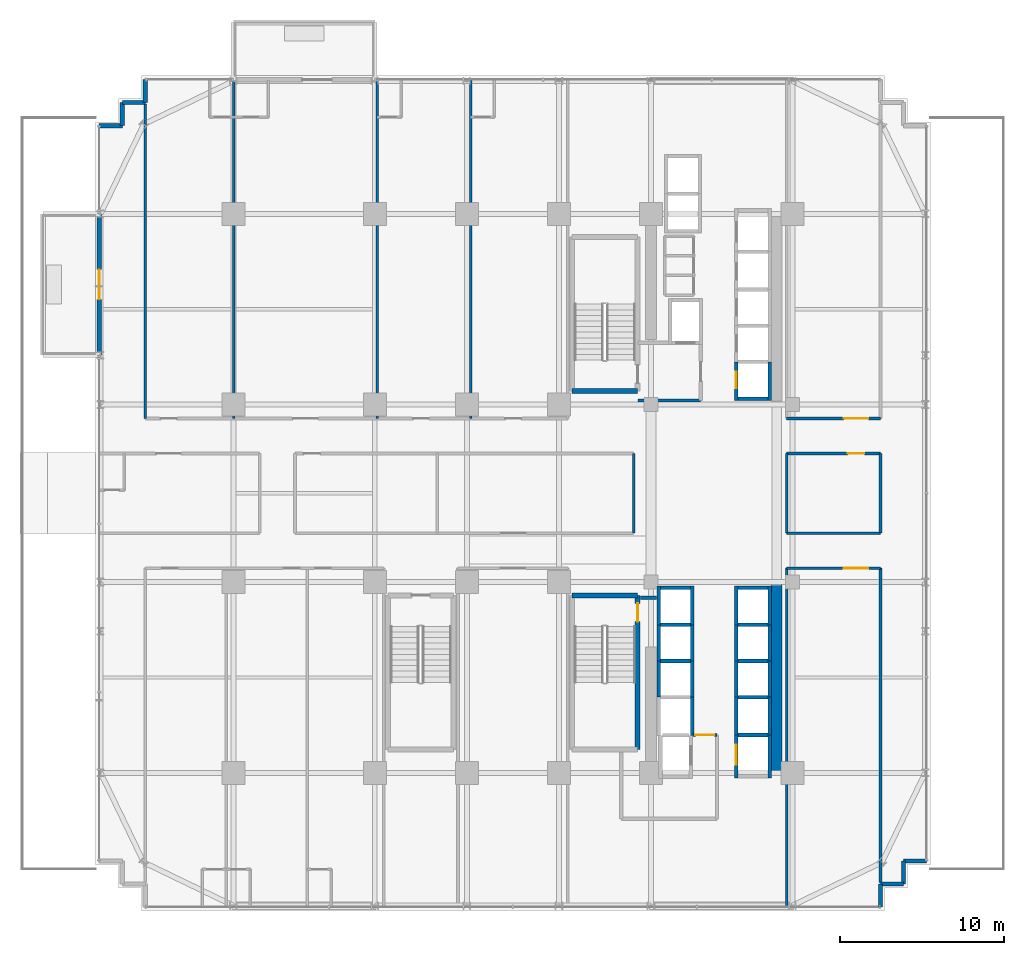
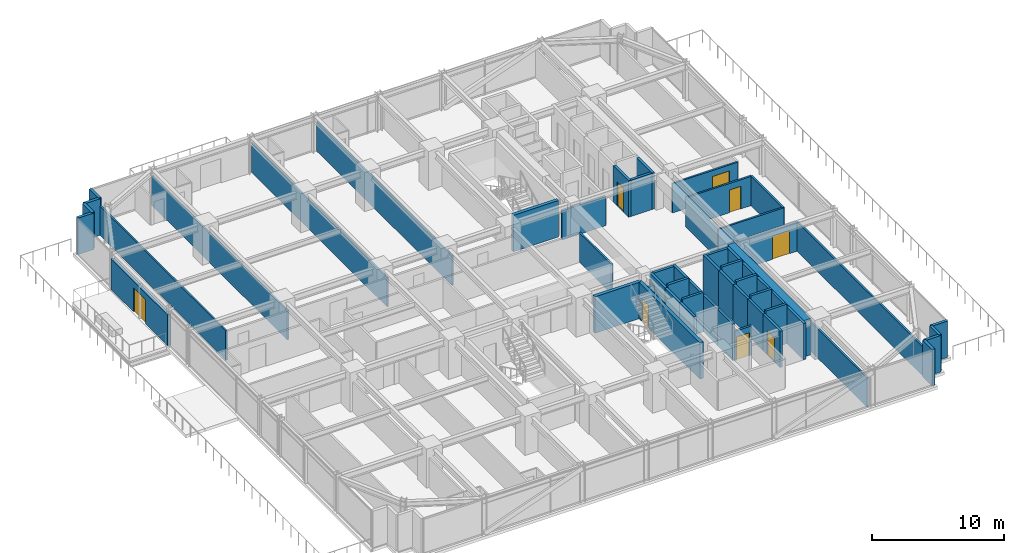
# One storey, part 31 of 39: 57 walls, 8 doors, 8 openings.
"""IFC4 building model written with IfcOpenShell, lengths in metres."""

from ifc_helpers import new_model, si_unit, direction, frame, frame_2d, origin, place, context, subcontext, project, spatial, rectangle, extrude, source, transform, mapped, material, layer, layer_set, type_object, element, fill, save


model = new_model("IFC4")

# Units and contexts
model_context = context("Model", 3, precision=1e-05, world=origin(), true_north=direction((0.0, 1.0)))
body_context = subcontext(model_context, "Body", "Model", "MODEL_VIEW")
ifc_project = project(units=[si_unit("LENGTHUNIT", "METRE"), si_unit("AREAUNIT", "SQUARE_METRE"), si_unit("VOLUMEUNIT", "CUBIC_METRE"), si_unit("PLANEANGLEUNIT", "RADIAN"), si_unit("MASSUNIT", "GRAM", prefix="KILO")], contexts=[model_context])

# Site, building, storey
site_placement = place(None, origin())
site = spatial("IfcSite", under=ifc_project, at=site_placement, CompositionType="ELEMENT")
building_placement = place(site_placement, origin())
building = spatial("IfcBuilding", under=site, at=building_placement, Name="Nahalor Promenade Grand Hotel", CompositionType="ELEMENT")
storey_placement = place(building_placement, frame((0.0, 0.0, 32.39990234375)))
storey = spatial("IfcBuildingStorey", under=building, at=storey_placement, Name="L06", CompositionType="ELEMENT", Elevation=32.39990234375)

# Walls
ifc_material_1 = material(Name="Concrete B-60 (C50/60)", Category="concrete")
ifc_layer_1 = layer(ifc_material_1, 0.64990234375)
ifc_layer_set_1 = layer_set([ifc_layer_1], Name="Concrete B-60 (C50/60)")
wall_type_1 = type_object("IfcWallType", Name="Wall-CoreShear-650", PredefinedType="SHEAR", material=ifc_layer_set_1)
shared_shape_1 = source(origin(), body_context, "Body", "SweptSolid", [
    extrude(rectangle(XDim=11.60009765625, YDim=0.64990234375, at=frame_2d((5.800048828125, 0.0))), origin(), (0.0, 0.0, 1.0), 3.3701171875),
])
wall_1_placement = place(storey_placement, frame((16.050048828125, -17.0, 0.0), z_axis=(0.0, 0.0, 1.0), x_axis=(0.0, 1.0, 0.0)))
element("IfcWall", 1, at=wall_1_placement, inside=storey, type_object=wall_type_1, Name="CWALL-L06-SE", PredefinedType="SHEAR", context=body_context, shape_type="MappedRepresentation", body=[
    mapped(shared_shape_1, transform((0.0, 0.0, 0.0), scale=1.0)),
])
ifc_material_2 = material(Name="Concrete B-50 (C40/50)", Category="concrete")
ifc_layer_2 = layer(ifc_material_2, 0.300048828125)
ifc_layer_set_2 = layer_set([ifc_layer_2], Name="Concrete B-50 (C40/50)")
wall_type_2 = type_object("IfcWallType", Name="Wall-ShaftShear-300", PredefinedType="SHEAR", material=ifc_layer_set_2)
shared_shape_2 = source(origin(), body_context, "Body", "SweptSolid", [
    extrude(rectangle(XDim=3.97998046875, YDim=0.300048828125, at=frame_2d((1.989990234375, 0.0))), origin(), (0.0, 0.0, 1.0), 3.3701171875),
])
for number, where, z_axis, x_axis, name in (
    (2, (3.610107421875, 6.2099609375, 0.0), (0.0, 0.0, 1.0), (1.0, 0.0, 0.0), "L06 Exit Stair ST1 Shaft Wall S"),
    (3, (3.610107421875, -6.2099609375, 0.0), (0.0, 0.0, 1.0), (1.0, 0.0, 0.0), "L06 Exit Stair ST2 Shaft Wall N"),
):
    element("IfcWall", number, at=place(storey_placement, frame(where, z_axis=z_axis, x_axis=x_axis)), inside=storey, type_object=wall_type_2, Name=name, PredefinedType="SHEAR", context=body_context, shape_type="MappedRepresentation", body=[
        mapped(shared_shape_2, transform((0.0, 0.0, 0.0), scale=1.0)),
    ])

# Wall, opening, door
shared_shape_3 = source(origin(), body_context, "Body", "SweptSolid", [
    extrude(rectangle(XDim=9.380126953125, YDim=0.300048828125, at=frame_2d((4.68994140625, 0.0))), origin(), (0.0, 0.0, 1.0), 3.3701171875),
])
wall_2_placement = place(storey_placement, frame((7.590087890625, -15.590087890625, 0.0), z_axis=(0.0, 0.0, 1.0), x_axis=(0.0, 1.0, 0.0)))
wall_2 = element("IfcWall", 4, at=wall_2_placement, inside=storey, type_object=wall_type_2, Name="L06 Exit Stair ST2 Shaft Wall E", PredefinedType="SHEAR", context=body_context, shape_type="MappedRepresentation", body=[
    mapped(shared_shape_3, transform((0.0, 0.0, 0.0), scale=1.0)),
])
opening_1_placement = place(wall_2_placement, frame((7.7900390625, 0.0, 0.0)))
opening_1 = element("IfcOpeningElement", 5, at=opening_1_placement, cuts=wall_2, Name="Opening D-ST1", PredefinedType="OPENING", context=body_context, shape_type="SweptSolid", body=[
    extrude(rectangle(XDim=1.10009765625, YDim=2.14990234375, at=frame_2d((0.550048828125, 1.074951171875))), frame((0.0, 0.159912109375, 0.0), z_axis=(0.0, -1.0, 0.0), x_axis=(1.0, 0.0, 0.0)), (0.0, 0.0, 1.0), 0.320068359375),
])
ifc_material_3 = material(Name="Steel S355JR", Category="steel")
door_type_1 = type_object("IfcDoorType", Name="Door-StairFire-1100", OperationType="NOTDEFINED", PredefinedType="DOOR", material=ifc_material_3)
shared_shape_4 = source(origin(), body_context, "Body", "SweptSolid", [
    extrude(rectangle(XDim=1.10009765625, YDim=2.14990234375, at=frame_2d((0.550048828125, 1.074951171875))), frame((0.0, 0.02490234375, 0.0), z_axis=(0.0, -1.0, 0.0), x_axis=(1.0, 0.0, 0.0)), (0.0, 0.0, 1.0), 0.050048828125),
])
door_1_placement = place(opening_1_placement, origin())
door_1 = element("IfcDoor", 6, at=door_1_placement, inside=storey, type_object=door_type_1, Name="DR-STAIR-ST2-L06", OperationType="SINGLE_SWING_LEFT", OverallHeight=2.14990234375, OverallWidth=1.10009765625, PredefinedType="DOOR", context=body_context, shape_type="MappedRepresentation", body=[
    mapped(shared_shape_4, transform((0.0, 0.0, 0.0), scale=1.0)),
])
fill(opening_1, door_1)

ifc_layer_3 = layer(ifc_material_2, 0.219970703125)
ifc_layer_set_3 = layer_set([ifc_layer_3], Name="Concrete B-50 (C40/50)")
wall_type_3 = type_object("IfcWallType", Name="Wall-LiftShaft-220", PredefinedType="SHEAR", material=ifc_layer_set_3)
shared_shape_5 = source(origin(), body_context, "Body", "SweptSolid", [
    extrude(rectangle(XDim=2.360107421875, YDim=0.219970703125, at=frame_2d((1.18017578125, 0.0))), origin(), (0.0, 0.0, 1.0), 3.3701171875),
])
wall_3_placement = place(storey_placement, frame((13.580078125, 5.639892578125, 0.0), z_axis=(0.0, 0.0, 1.0), x_axis=(0.0, 1.0, 0.0)))
wall_3 = element("IfcWall", 7, at=wall_3_placement, inside=storey, type_object=wall_type_3, Name="L06 Lift PL1 Hoistway Wall W", PredefinedType="SHEAR", context=body_context, shape_type="MappedRepresentation", body=[
    mapped(shared_shape_5, transform((0.0, 0.0, 0.0), scale=1.0)),
])
opening_2_placement = place(wall_3_placement, frame((0.760009765625, 0.0, 0.0)))
opening_2 = element("IfcOpeningElement", 8, at=opening_2_placement, cuts=wall_3, Name="Opening LD-01", PredefinedType="OPENING", context=body_context, shape_type="SweptSolid", body=[
    extrude(rectangle(XDim=1.0, YDim=2.199951171875, at=frame_2d((0.5, 1.10009765625))), frame((0.0, 0.119873046875, 0.0), z_axis=(0.0, -1.0, 0.0), x_axis=(1.0, 0.0, 0.0)), (0.0, 0.0, 1.0), 0.239990234375),
])
door_type_2 = type_object("IfcDoorType", Name="Door-LiftLanding-1000", OperationType="DOUBLE_DOOR_SLIDING", PredefinedType="DOOR", material=ifc_material_3)
shared_shape_6 = source(origin(), body_context, "Body", "SweptSolid", [
    extrude(rectangle(XDim=1.0, YDim=2.199951171875, at=frame_2d((0.5, 1.10009765625))), frame((0.0, 0.02490234375, 0.0), z_axis=(0.0, -1.0, 0.0), x_axis=(1.0, 0.0, 0.0)), (0.0, 0.0, 1.0), 0.050048828125),
])
door_2_placement = place(opening_2_placement, origin())
door_2 = element("IfcDoor", 9, at=door_2_placement, inside=storey, type_object=door_type_2, Name="DR-LIFT-PL1-L06", OperationType="DOUBLE_DOOR_SLIDING", OverallHeight=2.199951171875, OverallWidth=1.0, PredefinedType="DOOR", context=body_context, shape_type="MappedRepresentation", body=[
    mapped(shared_shape_6, transform((0.0, 0.0, 0.0), scale=1.0)),
])
fill(opening_2, door_2)

# Walls
for number, where, z_axis, x_axis, name in (
    (10, (15.6201171875, 5.639892578125, 0.0), (0.0, 0.0, 1.0), (0.0, 1.0, 0.0), "L06 Lift PL1 Hoistway Wall E"),
    (11, (13.580078125, -8.0, 0.0), (0.0, 0.0, 1.0), (0.0, 1.0, 0.0), "L06 Lift PL5 Hoistway Wall W"),
    (12, (15.6201171875, -8.0, 0.0), (0.0, 0.0, 1.0), (0.0, 1.0, 0.0), "L06 Lift PL5 Hoistway Wall E"),
    (13, (8.8798828125, -8.0, 0.0), (0.0, 0.0, 1.0), (0.0, 1.0, 0.0), "L06 Lift PL9 Hoistway Wall W"),
    (14, (10.919921875, -8.0, 0.0), (0.0, 0.0, 1.0), (0.0, 1.0, 0.0), "L06 Lift PL9 Hoistway Wall E"),
):
    element("IfcWall", number, at=place(storey_placement, frame(where, z_axis=z_axis, x_axis=x_axis)), inside=storey, type_object=wall_type_3, Name=name, PredefinedType="SHEAR", context=body_context, shape_type="MappedRepresentation", body=[
        mapped(shared_shape_5, transform((0.0, 0.0, 0.0), scale=1.0)),
    ])
shared_shape_7 = source(origin(), body_context, "Body", "SweptSolid", [
    extrude(rectangle(XDim=1.820068359375, YDim=0.219970703125, at=frame_2d((0.91015625, 0.0))), origin(), (0.0, 0.0, 1.0), 3.3701171875),
])
for number, where, z_axis, x_axis, name in (
    (15, (13.68994140625, 5.75, 0.0), (0.0, 0.0, 1.0), (1.0, 0.0, 0.0), "L06 Lift PL1 Hoistway Wall S"),
    (16, (13.68994140625, -5.75, 0.0), (0.0, 0.0, 1.0), (1.0, 0.0, 0.0), "L06 Lift PL5 Hoistway Wall N"),
    (17, (8.989990234375, -5.75, 0.0), (0.0, 0.0, 1.0), (1.0, 0.0, 0.0), "L06 Lift PL9 Hoistway Wall N"),
):
    element("IfcWall", number, at=place(storey_placement, frame(where, z_axis=z_axis, x_axis=x_axis)), inside=storey, type_object=wall_type_3, Name=name, PredefinedType="SHEAR", context=body_context, shape_type="MappedRepresentation", body=[
        mapped(shared_shape_7, transform((0.0, 0.0, 0.0), scale=1.0)),
    ])
shared_shape_8 = source(origin(), body_context, "Body", "SweptSolid", [
    extrude(rectangle(XDim=1.820068359375, YDim=0.219970703125, at=frame_2d((0.91015625, 0.0))), origin(), (0.0, 0.0, 1.0), 3.650146484375),
])
for number, where, z_axis, x_axis, name in (
    (18, (13.68994140625, -8.0, 0.0), (0.0, 0.0, 1.0), (1.0, 0.0, 0.0), "L06 Lift PL6 Hoistway Wall N"),
    (19, (13.68994140625, -10.199951171875, 0.0), (0.0, 0.0, 1.0), (1.0, 0.0, 0.0), "L06 Lift PL7 Hoistway Wall N"),
    (20, (13.68994140625, -12.39990234375, 0.0), (0.0, 0.0, 1.0), (1.0, 0.0, 0.0), "L06 Lift PL8 Hoistway Wall N"),
    (21, (8.989990234375, -8.0, 0.0), (0.0, 0.0, 1.0), (1.0, 0.0, 0.0), "L06 Lift PL10 Hoistway Wall N"),
    (22, (8.989990234375, -10.199951171875, 0.0), (0.0, 0.0, 1.0), (1.0, 0.0, 0.0), "L06 Lift PL11 Hoistway Wall N"),
    (23, (13.68994140625, -14.699951171875, 0.0), (0.0, 0.0, 1.0), (1.0, 0.0, 0.0), "L06 Lift SV2 Hoistway Wall N"),
):
    element("IfcWall", number, at=place(storey_placement, frame(where, z_axis=z_axis, x_axis=x_axis)), inside=storey, type_object=wall_type_3, Name=name, PredefinedType="SHEAR", context=body_context, shape_type="MappedRepresentation", body=[
        mapped(shared_shape_8, transform((0.0, 0.0, 0.0), scale=1.0)),
    ])
shared_shape_9 = source(origin(), body_context, "Body", "SweptSolid", [
    extrude(rectangle(XDim=2.199951171875, YDim=0.219970703125, at=frame_2d((1.10009765625, 0.0))), origin(), (0.0, 0.0, 1.0), 3.3701171875),
])
for number, where, z_axis, x_axis, name in (
    (24, (13.580078125, -10.199951171875, 0.0), (0.0, 0.0, 1.0), (0.0, 1.0, 0.0), "L06 Lift PL6 Hoistway Wall W"),
    (25, (15.6201171875, -10.199951171875, 0.0), (0.0, 0.0, 1.0), (0.0, 1.0, 0.0), "L06 Lift PL6 Hoistway Wall E"),
    (26, (13.580078125, -12.39990234375, 0.0), (0.0, 0.0, 1.0), (0.0, 1.0, 0.0), "L06 Lift PL7 Hoistway Wall W"),
    (27, (15.6201171875, -12.39990234375, 0.0), (0.0, 0.0, 1.0), (0.0, 1.0, 0.0), "L06 Lift PL7 Hoistway Wall E"),
    (28, (8.8798828125, -10.199951171875, 0.0), (0.0, 0.0, 1.0), (0.0, 1.0, 0.0), "L06 Lift PL10 Hoistway Wall W"),
    (29, (10.919921875, -10.199951171875, 0.0), (0.0, 0.0, 1.0), (0.0, 1.0, 0.0), "L06 Lift PL10 Hoistway Wall E"),
    (30, (8.8798828125, -12.39990234375, 0.0), (0.0, 0.0, 1.0), (0.0, 1.0, 0.0), "L06 Lift PL11 Hoistway Wall W"),
    (31, (10.919921875, -12.39990234375, 0.0), (0.0, 0.0, 1.0), (0.0, 1.0, 0.0), "L06 Lift PL11 Hoistway Wall E"),
):
    element("IfcWall", number, at=place(storey_placement, frame(where, z_axis=z_axis, x_axis=x_axis)), inside=storey, type_object=wall_type_3, Name=name, PredefinedType="SHEAR", context=body_context, shape_type="MappedRepresentation", body=[
        mapped(shared_shape_9, transform((0.0, 0.0, 0.0), scale=1.0)),
    ])
shared_shape_10 = source(origin(), body_context, "Body", "SweptSolid", [
    extrude(rectangle(XDim=2.300048828125, YDim=0.219970703125, at=frame_2d((1.14990234375, 0.0))), origin(), (0.0, 0.0, 1.0), 3.3701171875),
])
for number, where, z_axis, x_axis, name in (
    (32, (13.580078125, -14.699951171875, 0.0), (0.0, 0.0, 1.0), (0.0, 1.0, 0.0), "L06 Lift PL8 Hoistway Wall W"),
    (33, (15.6201171875, -14.699951171875, 0.0), (0.0, 0.0, 1.0), (0.0, 1.0, 0.0), "L06 Lift PL8 Hoistway Wall E"),
):
    element("IfcWall", number, at=place(storey_placement, frame(where, z_axis=z_axis, x_axis=x_axis)), inside=storey, type_object=wall_type_3, Name=name, PredefinedType="SHEAR", context=body_context, shape_type="MappedRepresentation", body=[
        mapped(shared_shape_10, transform((0.0, 0.0, 0.0), scale=1.0)),
    ])
shared_shape_11 = source(origin(), body_context, "Body", "SweptSolid", [
    extrude(rectangle(XDim=2.3251953125, YDim=0.219970703125, at=frame_2d((1.16259765625, 0.0))), origin(), (0.0, 0.0, 1.0), 3.3701171875),
])
wall_4_placement = place(storey_placement, frame((10.919921875, -14.72509765625, 0.0), z_axis=(0.0, 0.0, 1.0), x_axis=(0.0, 1.0, 0.0)))
element("IfcWall", 34, at=wall_4_placement, inside=storey, type_object=wall_type_3, Name="L06 Lift PL12 Hoistway Wall E", PredefinedType="SHEAR", context=body_context, shape_type="MappedRepresentation", body=[
    mapped(shared_shape_11, transform((0.0, 0.0, 0.0), scale=1.0)),
])

# Wall, opening, door
shared_shape_12 = source(origin(), body_context, "Body", "SweptSolid", [
    extrude(rectangle(XDim=2.610107421875, YDim=0.219970703125, at=frame_2d((1.30517578125, 0.0))), origin(), (0.0, 0.0, 1.0), 3.3701171875),
])
wall_5_placement = place(storey_placement, frame((13.580078125, -17.31005859375, 0.0), z_axis=(0.0, 0.0, 1.0), x_axis=(0.0, 1.0, 0.0)))
wall_5 = element("IfcWall", 35, at=wall_5_placement, inside=storey, type_object=wall_type_3, Name="L06 Lift SV2 Hoistway Wall W", PredefinedType="SHEAR", context=body_context, shape_type="MappedRepresentation", body=[
    mapped(shared_shape_12, transform((0.0, 0.0, 0.0), scale=1.0)),
])
opening_3_placement = place(wall_5_placement, frame((0.81005859375, 0.0, 0.0)))
opening_3 = element("IfcOpeningElement", 36, at=opening_3_placement, cuts=wall_5, Name="Opening LD-03", PredefinedType="OPENING", context=body_context, shape_type="SweptSolid", body=[
    extrude(rectangle(XDim=1.199951171875, YDim=2.199951171875, at=frame_2d((0.60009765625, 1.10009765625))), frame((0.0, 0.119873046875, 0.0), z_axis=(0.0, -1.0, 0.0), x_axis=(1.0, 0.0, 0.0)), (0.0, 0.0, 1.0), 0.239990234375),
])
door_type_3 = type_object("IfcDoorType", Name="Door-LiftService-1200", OperationType="DOUBLE_DOOR_SLIDING", PredefinedType="DOOR", material=ifc_material_3)
shared_shape_13 = source(origin(), body_context, "Body", "SweptSolid", [
    extrude(rectangle(XDim=1.199951171875, YDim=2.199951171875, at=frame_2d((0.60009765625, 1.10009765625))), frame((0.0, 0.02490234375, 0.0), z_axis=(0.0, -1.0, 0.0), x_axis=(1.0, 0.0, 0.0)), (0.0, 0.0, 1.0), 0.050048828125),
])
door_3_placement = place(opening_3_placement, origin())
door_3 = element("IfcDoor", 37, at=door_3_placement, inside=storey, type_object=door_type_3, Name="DR-LIFT-SV2-L06", OperationType="DOUBLE_DOOR_SLIDING", OverallHeight=2.199951171875, OverallWidth=1.199951171875, PredefinedType="DOOR", context=body_context, shape_type="MappedRepresentation", body=[
    mapped(shared_shape_13, transform((0.0, 0.0, 0.0), scale=1.0)),
])
fill(opening_3, door_3)

# Walls
wall_6_placement = place(storey_placement, frame((15.6201171875, -17.31005859375, 0.0), z_axis=(0.0, 0.0, 1.0), x_axis=(0.0, 1.0, 0.0)))
element("IfcWall", 38, at=wall_6_placement, inside=storey, type_object=wall_type_3, Name="L06 Lift SV2 Hoistway Wall E", PredefinedType="SHEAR", context=body_context, shape_type="MappedRepresentation", body=[
    mapped(shared_shape_12, transform((0.0, 0.0, 0.0), scale=1.0)),
])
ifc_material_4 = material(Name="Concrete B-40 (C32/40)", Category="concrete")
ifc_layer_4 = layer(ifc_material_4, 0.25)
ifc_layer_set_4 = layer_set([ifc_layer_4], Name="Concrete B-40 (C32/40)")
wall_type_4 = type_object("IfcWallType", Name="Wall-BronzePier-250", PredefinedType="STANDARD", material=ifc_layer_set_4)
shared_shape_14 = source(origin(), body_context, "Body", "SweptSolid", [
    extrude(rectangle(XDim=1.39990234375, YDim=0.25, at=frame_2d((0.699951171875, 0.0))), origin(), (0.0, 0.0, 1.0), 3.3701171875),
])
for number, where, z_axis, x_axis, name in (
    (39, (22.360107421875, -25.159912109375, 0.0), (0.0, 0.0, 1.0), (0.0, 1.0, 0.0), "W-L06-SR-01"),
    (40, (22.360107421875, -23.760009765625, 0.0), (0.0, 0.0, 1.0), (1.0, 0.0, 0.0), "W-L06-SR-02"),
    (41, (23.760009765625, -23.760009765625, 0.0), (0.0, 0.0, 1.0), (0.0, 1.0, 0.0), "W-L06-SR-03"),
    (42, (23.760009765625, -22.360107421875, 0.0), (0.0, 0.0, 1.0), (1.0, 0.0, 0.0), "W-L06-SR-04"),
    (43, (-22.360107421875, 23.760009765625, 0.0), (0.0, 0.0, 1.0), (0.0, 1.0, 0.0), "W-L06-SR-09"),
    (44, (-23.760009765625, 23.760009765625, 0.0), (0.0, 0.0, 1.0), (1.0, 0.0, 0.0), "W-L06-SR-10"),
    (45, (-23.760009765625, 22.360107421875, 0.0), (0.0, 0.0, 1.0), (0.0, 1.0, 0.0), "W-L06-SR-11"),
    (46, (-25.159912109375, 22.360107421875, 0.0), (0.0, 0.0, 1.0), (1.0, 0.0, 0.0), "W-L06-SR-12"),
):
    element("IfcWall", number, at=place(storey_placement, frame(where, z_axis=z_axis, x_axis=x_axis)), inside=storey, type_object=wall_type_4, Name=name, PredefinedType="STANDARD", context=body_context, shape_type="MappedRepresentation", body=[
        mapped(shared_shape_14, transform((0.0, 0.0, 0.0), scale=1.0)),
    ])

# Wall, opening, door
ifc_layer_5 = layer(ifc_material_4, 0.260009765625)
ifc_layer_set_5 = layer_set([ifc_layer_5], Name="Concrete B-40 (C32/40)")
wall_type_5 = type_object("IfcWallType", Name="Wall-BalconyWall-260", PredefinedType="STANDARD", material=ifc_layer_set_5)
shared_shape_15 = source(origin(), body_context, "Body", "SweptSolid", [
    extrude(rectangle(XDim=8.60009765625, YDim=0.260009765625, at=frame_2d((4.300048828125, 0.0))), origin(), (0.0, 0.0, 1.0), 2.85009765625),
])
wall_7_placement = place(storey_placement, frame((-25.159912109375, 8.39990234375, 0.0), z_axis=(0.0, 0.0, 1.0), x_axis=(0.0, 1.0, 0.0)))
wall_7 = element("IfcWall", 47, at=wall_7_placement, inside=storey, type_object=wall_type_5, Name="W-L06-BALC-W-2", PredefinedType="STANDARD", context=body_context, shape_type="MappedRepresentation", body=[
    mapped(shared_shape_15, transform((0.0, 0.0, 0.0), scale=1.0)),
])
opening_4_placement = place(wall_7_placement, frame((3.39990234375, 0.0, 0.0)))
opening_4 = element("IfcOpeningElement", 48, at=opening_4_placement, cuts=wall_7, Name="Opening D-BC1", PredefinedType="OPENING", context=body_context, shape_type="SweptSolid", body=[
    extrude(rectangle(XDim=1.800048828125, YDim=2.25, at=frame_2d((0.89990234375, 1.125))), frame((0.0, 0.139892578125, 0.0), z_axis=(0.0, -1.0, 0.0), x_axis=(1.0, 0.0, 0.0)), (0.0, 0.0, 1.0), 0.280029296875),
])
ifc_material_5 = material(Name="Anodised Bronze Aluminium EN AW-6063 T6", Category="aluminium")
door_type_4 = type_object("IfcDoorType", Name="Door-BalconySlide-1800", OperationType="DOUBLE_DOOR_SLIDING", PredefinedType="DOOR", material=ifc_material_5)
shared_shape_16 = source(origin(), body_context, "Body", "SweptSolid", [
    extrude(rectangle(XDim=1.800048828125, YDim=2.25, at=frame_2d((0.89990234375, 1.125))), frame((0.0, 0.02490234375, 0.0), z_axis=(0.0, -1.0, 0.0), x_axis=(1.0, 0.0, 0.0)), (0.0, 0.0, 1.0), 0.050048828125),
])
door_4_placement = place(opening_4_placement, origin())
door_4 = element("IfcDoor", 49, at=door_4_placement, inside=storey, type_object=door_type_4, Name="DR-L06-BALC-W-2", OperationType="DOUBLE_DOOR_SLIDING", OverallHeight=2.25, OverallWidth=1.800048828125, PredefinedType="DOOR", context=body_context, shape_type="MappedRepresentation", body=[
    mapped(shared_shape_16, transform((0.0, 0.0, 0.0), scale=1.0)),
])
fill(opening_4, door_4)

# Wall
ifc_layer_6 = layer(ifc_material_4, 0.199951171875)
ifc_layer_set_6 = layer_set([ifc_layer_6], Name="Concrete B-40 (C32/40)")
wall_type_6 = type_object("IfcWallType", Name="Wall-PartFire-200", PredefinedType="PARTITIONING", material=ifc_layer_set_6)
shared_shape_17 = source(origin(), body_context, "Body", "SweptSolid", [
    extrude(rectangle(XDim=3.81982421875, YDim=0.199951171875, at=frame_2d((1.909912109375, 0.0))), origin(), (0.0, 0.0, 1.0), 2.710205078125),
])
wall_8_placement = place(storey_placement, frame((7.60009765625, 5.64990234375, 0.0), z_axis=(0.0, 0.0, 1.0), x_axis=(1.0, 0.0, 0.0)))
element("IfcWall", 50, at=wall_8_placement, inside=storey, type_object=wall_type_6, Name="W-L06-FF1-S", PredefinedType="PARTITIONING", context=body_context, shape_type="MappedRepresentation", body=[
    mapped(shared_shape_17, transform((0.0, 0.0, 0.0), scale=1.0)),
])

# Wall, opening, door
shared_shape_18 = source(origin(), body_context, "Body", "SweptSolid", [
    extrude(rectangle(XDim=1.4599609375, YDim=0.199951171875, at=frame_2d((0.72998046875, 0.0))), origin(), (0.0, 0.0, 1.0), 2.710205078125),
])
wall_9_placement = place(storey_placement, frame((10.9599609375, -14.699951171875, 0.0), z_axis=(0.0, 0.0, 1.0), x_axis=(1.0, 0.0, 0.0)))
wall_9 = element("IfcWall", 51, at=wall_9_placement, inside=storey, type_object=wall_type_6, Name="W-L06-FF2-N1", PredefinedType="PARTITIONING", context=body_context, shape_type="MappedRepresentation", body=[
    mapped(shared_shape_18, transform((0.0, 0.0, 0.0), scale=1.0)),
])
opening_5_placement = place(wall_9_placement, frame((0.14501953125, 0.0, 0.0)))
opening_5 = element("IfcOpeningElement", 52, at=opening_5_placement, cuts=wall_9, Name="Opening D-FF1", PredefinedType="OPENING", context=body_context, shape_type="SweptSolid", body=[
    extrude(rectangle(XDim=1.14990234375, YDim=2.14990234375, at=frame_2d((0.574951171875, 1.074951171875))), frame((0.0, 0.10986328125, 0.0), z_axis=(0.0, -1.0, 0.0), x_axis=(1.0, 0.0, 0.0)), (0.0, 0.0, 1.0), 0.219970703125),
])
door_type_5 = type_object("IfcDoorType", Name="Door-FFLobby-1150", OperationType="NOTDEFINED", PredefinedType="DOOR", material=ifc_material_3)
shared_shape_19 = source(origin(), body_context, "Body", "SweptSolid", [
    extrude(rectangle(XDim=1.14990234375, YDim=2.14990234375, at=frame_2d((0.574951171875, 1.074951171875))), frame((0.0, 0.02490234375, 0.0), z_axis=(0.0, -1.0, 0.0), x_axis=(1.0, 0.0, 0.0)), (0.0, 0.0, 1.0), 0.050048828125),
])
door_5_placement = place(opening_5_placement, origin())
door_5 = element("IfcDoor", 53, at=door_5_placement, inside=storey, type_object=door_type_5, Name="DR-L06-FFL2", OperationType="SINGLE_SWING_RIGHT", OverallHeight=2.14990234375, OverallWidth=1.14990234375, PredefinedType="DOOR", context=body_context, shape_type="MappedRepresentation", body=[
    mapped(shared_shape_19, transform((0.0, 0.0, 0.0), scale=1.0)),
])
fill(opening_5, door_5)

# Wall
shared_shape_20 = source(origin(), body_context, "Body", "SweptSolid", [
    extrude(rectangle(XDim=0.969970703125, YDim=0.199951171875, at=frame_2d((0.48486328125, 0.0))), origin(), (0.0, 0.0, 1.0), 2.710205078125),
])
wall_10_placement = place(storey_placement, frame((7.77001953125, -6.35009765625, 0.0), z_axis=(0.0, 0.0, 1.0), x_axis=(1.0, 0.0, 0.0)))
element("IfcWall", 54, at=wall_10_placement, inside=storey, type_object=wall_type_6, Name="W-L06-FF2-N2", PredefinedType="PARTITIONING", context=body_context, shape_type="MappedRepresentation", body=[
    mapped(shared_shape_20, transform((0.0, 0.0, 0.0), scale=1.0)),
])

# Wall, opening, door
ifc_material_6 = material(Name="Acoustic Mineral Gypsum", Category="gypsum")
ifc_layer_7 = layer(ifc_material_6, 0.159912109375)
ifc_layer_set_7 = layer_set([ifc_layer_7], Name="Acoustic Mineral Gypsum")
wall_type_7 = type_object("IfcWallType", Name="Wall-PartCorridor-160", PredefinedType="PARTITIONING", material=ifc_layer_set_7)
shared_shape_21 = source(origin(), body_context, "Body", "SweptSolid", [
    extrude(rectangle(XDim=5.710205078125, YDim=0.159912109375, at=frame_2d((2.85498046875, 0.0))), origin(), (0.0, 0.0, 1.0), 2.710205078125),
])
wall_11_placement = place(storey_placement, frame((16.64990234375, 4.550048828125, 0.0), z_axis=(0.0, 0.0, 1.0), x_axis=(1.0, 0.0, 0.0)))
wall_11 = element("IfcWall", 55, at=wall_11_placement, inside=storey, type_object=wall_type_7, Name="W-L06-ENE-S", PredefinedType="PARTITIONING", context=body_context, shape_type="MappedRepresentation", body=[
    mapped(shared_shape_21, transform((0.0, 0.0, 0.0), scale=1.0)),
])
opening_6_placement = place(wall_11_placement, frame((3.47900390625, 0.0, 0.0)))
opening_6 = element("IfcOpeningElement", 56, at=opening_6_placement, cuts=wall_11, Name="Opening D-02", PredefinedType="OPENING", context=body_context, shape_type="SweptSolid", body=[
    extrude(rectangle(XDim=1.5, YDim=2.14990234375, at=frame_2d((0.75, 1.074951171875))), frame((0.0, 0.08984375, 0.0), z_axis=(0.0, -1.0, 0.0), x_axis=(1.0, 0.0, 0.0)), (0.0, 0.0, 1.0), 0.179931640625),
])
ifc_material_7 = material(Name="Fire-Rated Timber Composite", Category="wood")
door_type_6 = type_object("IfcDoorType", Name="Door-SuiteDouble-1500", OperationType="DOUBLE_DOOR_SINGLE_SWING", PredefinedType="DOOR", material=ifc_material_7)
shared_shape_22 = source(origin(), body_context, "Body", "SweptSolid", [
    extrude(rectangle(XDim=1.5, YDim=2.14990234375, at=frame_2d((0.75, 1.074951171875))), frame((0.0, 0.02490234375, 0.0), z_axis=(0.0, -1.0, 0.0), x_axis=(1.0, 0.0, 0.0)), (0.0, 0.0, 1.0), 0.050048828125),
])
door_6_placement = place(opening_6_placement, origin())
door_6 = element("IfcDoor", 57, at=door_6_placement, inside=storey, type_object=door_type_6, Name="DR-L06-ENE", OperationType="DOUBLE_DOOR_SINGLE_SWING", OverallHeight=2.14990234375, OverallWidth=1.5, PredefinedType="DOOR", context=body_context, shape_type="MappedRepresentation", body=[
    mapped(shared_shape_22, transform((0.0, 0.0, 0.0), scale=1.0)),
])
fill(opening_6, door_6)

wall_12_placement = place(storey_placement, frame((16.64990234375, -4.550048828125, 0.0), z_axis=(0.0, 0.0, 1.0), x_axis=(1.0, 0.0, 0.0)))
wall_12 = element("IfcWall", 58, at=wall_12_placement, inside=storey, type_object=wall_type_7, Name="W-L06-ESE-N", PredefinedType="PARTITIONING", context=body_context, shape_type="MappedRepresentation", body=[
    mapped(shared_shape_21, transform((0.0, 0.0, 0.0), scale=1.0)),
])
opening_7_placement = place(wall_12_placement, frame((3.47900390625, 0.0, 0.0)))
opening_7 = element("IfcOpeningElement", 59, at=opening_7_placement, cuts=wall_12, Name="Opening D-02", PredefinedType="OPENING", context=body_context, shape_type="SweptSolid", body=[
    extrude(rectangle(XDim=1.5, YDim=2.14990234375, at=frame_2d((0.75, 1.074951171875))), frame((0.0, 0.08984375, 0.0), z_axis=(0.0, -1.0, 0.0), x_axis=(1.0, 0.0, 0.0)), (0.0, 0.0, 1.0), 0.179931640625),
])
door_7_placement = place(opening_7_placement, frame((1.5, 0.0, 0.0), z_axis=(0.0, 0.0, 1.0), x_axis=(-1.0, 0.0, 0.0)))
door_7 = element("IfcDoor", 60, at=door_7_placement, inside=storey, type_object=door_type_6, Name="DR-L06-ESE", OperationType="DOUBLE_DOOR_SINGLE_SWING", OverallHeight=2.14990234375, OverallWidth=1.5, PredefinedType="DOOR", context=body_context, shape_type="MappedRepresentation", body=[
    mapped(shared_shape_22, transform((0.0, 0.0, 0.0), scale=1.0)),
])
fill(opening_7, door_7)

# Wall
wall_13_placement = place(storey_placement, frame((16.64990234375, -2.419921875, 0.0), z_axis=(0.0, 0.0, 1.0), x_axis=(1.0, 0.0, 0.0)))
element("IfcWall", 61, at=wall_13_placement, inside=storey, type_object=wall_type_7, Name="W-L06-ECW-S", PredefinedType="PARTITIONING", context=body_context, shape_type="MappedRepresentation", body=[
    mapped(shared_shape_21, transform((0.0, 0.0, 0.0), scale=1.0)),
])

# Wall, opening, door
wall_14_placement = place(storey_placement, frame((16.64990234375, 2.419921875, 0.0), z_axis=(0.0, 0.0, 1.0), x_axis=(1.0, 0.0, 0.0)))
wall_14 = element("IfcWall", 62, at=wall_14_placement, inside=storey, type_object=wall_type_7, Name="W-L06-ECW-N", PredefinedType="PARTITIONING", context=body_context, shape_type="MappedRepresentation", body=[
    mapped(shared_shape_21, transform((0.0, 0.0, 0.0), scale=1.0)),
])
opening_8_placement = place(wall_14_placement, frame((3.72900390625, 0.0, 0.0)))
opening_8 = element("IfcOpeningElement", 63, at=opening_8_placement, cuts=wall_14, Name="Opening D-04", PredefinedType="OPENING", context=body_context, shape_type="SweptSolid", body=[
    extrude(rectangle(XDim=1.0, YDim=2.10009765625, at=frame_2d((0.5, 1.050048828125))), frame((0.0, 0.08984375, 0.0), z_axis=(0.0, -1.0, 0.0), x_axis=(1.0, 0.0, 0.0)), (0.0, 0.0, 1.0), 0.179931640625),
])
door_type_7 = type_object("IfcDoorType", Name="Door-ServiceFire-1000", OperationType="NOTDEFINED", PredefinedType="DOOR", material=ifc_material_3)
shared_shape_23 = source(origin(), body_context, "Body", "SweptSolid", [
    extrude(rectangle(XDim=1.0, YDim=2.10009765625, at=frame_2d((0.5, 1.050048828125))), frame((0.0, 0.02490234375, 0.0), z_axis=(0.0, -1.0, 0.0), x_axis=(1.0, 0.0, 0.0)), (0.0, 0.0, 1.0), 0.050048828125),
])
door_8_placement = place(opening_8_placement, frame((1.0, 0.0, 0.0), z_axis=(0.0, 0.0, 1.0), x_axis=(-1.0, 0.0, 0.0)))
door_8 = element("IfcDoor", 64, at=door_8_placement, inside=storey, type_object=door_type_7, Name="DR-L06-ECW", OperationType="SINGLE_SWING_LEFT", OverallHeight=2.10009765625, OverallWidth=1.0, PredefinedType="DOOR", context=body_context, shape_type="MappedRepresentation", body=[
    mapped(shared_shape_23, transform((0.0, 0.0, 0.0), scale=1.0)),
])
fill(opening_8, door_8)

# Walls
shared_shape_24 = source(origin(), body_context, "Body", "SweptSolid", [
    extrude(rectangle(XDim=20.550048828125, YDim=0.159912109375, at=frame_2d((10.27490234375, 0.0))), origin(), (0.0, 0.0, 1.0), 2.710205078125),
])
wall_15_placement = place(storey_placement, frame((16.64990234375, -25.10009765625, 0.0), z_axis=(0.0, 0.0, 1.0), x_axis=(0.0, 1.0, 0.0)))
element("IfcWall", 65, at=wall_15_placement, inside=storey, type_object=wall_type_7, Name="W-L06-ESE-W", PredefinedType="PARTITIONING", context=body_context, shape_type="MappedRepresentation", body=[
    mapped(shared_shape_24, transform((0.0, 0.0, 0.0), scale=1.0)),
])
shared_shape_25 = source(origin(), body_context, "Body", "SweptSolid", [
    extrude(rectangle(XDim=19.1298828125, YDim=0.159912109375, at=frame_2d((9.56494140625, 0.0))), origin(), (0.0, 0.0, 1.0), 2.710205078125),
])
wall_16_placement = place(storey_placement, frame((22.360107421875, -23.679931640625, 0.0), z_axis=(0.0, 0.0, 1.0), x_axis=(0.0, 1.0, 0.0)))
element("IfcWall", 66, at=wall_16_placement, inside=storey, type_object=wall_type_7, Name="W-L06-ESE-E", PredefinedType="PARTITIONING", context=body_context, shape_type="MappedRepresentation", body=[
    mapped(shared_shape_25, transform((0.0, 0.0, 0.0), scale=1.0)),
])
ifc_layer_8 = layer(ifc_material_6, 0.139892578125)
ifc_layer_set_8 = layer_set([ifc_layer_8], Name="Acoustic Mineral Gypsum")
wall_type_8 = type_object("IfcWallType", Name="Wall-PartSuite-140", PredefinedType="PARTITIONING", material=ifc_layer_set_8)
shared_shape_26 = source(origin(), body_context, "Body", "SweptSolid", [
    extrude(rectangle(XDim=19.1298828125, YDim=0.139892578125, at=frame_2d((9.56494140625, 0.0))), origin(), (0.0, 0.0, 1.0), 2.710205078125),
])
wall_17_placement = place(storey_placement, frame((-22.360107421875, 4.550048828125, 0.0), z_axis=(0.0, 0.0, 1.0), x_axis=(0.0, 1.0, 0.0)))
element("IfcWall", 67, at=wall_17_placement, inside=storey, type_object=wall_type_8, Name="W-L06-NW-ENDW", PredefinedType="PARTITIONING", context=body_context, shape_type="MappedRepresentation", body=[
    mapped(shared_shape_26, transform((0.0, 0.0, 0.0), scale=1.0)),
])
shared_shape_27 = source(origin(), body_context, "Body", "SweptSolid", [
    extrude(rectangle(XDim=20.550048828125, YDim=0.139892578125, at=frame_2d((10.27490234375, 0.0))), origin(), (0.0, 0.0, 1.0), 2.710205078125),
])
for number, where, z_axis, x_axis, name in (
    (68, (-16.97802734375, 4.550048828125, 0.0), (0.0, 0.0, 1.0), (0.0, 1.0, 0.0), "W-L06-NP-1"),
    (69, (-8.24609375, 4.550048828125, 0.0), (0.0, 0.0, 1.0), (0.0, 1.0, 0.0), "W-L06-NP-2"),
    (70, (-2.571044921875, 4.550048828125, 0.0), (0.0, 0.0, 1.0), (0.0, 1.0, 0.0), "W-L06-NP-3"),
):
    element("IfcWall", number, at=place(storey_placement, frame(where, z_axis=z_axis, x_axis=x_axis)), inside=storey, type_object=wall_type_8, Name=name, PredefinedType="PARTITIONING", context=body_context, shape_type="MappedRepresentation", body=[
        mapped(shared_shape_27, transform((0.0, 0.0, 0.0), scale=1.0)),
    ])
shared_shape_28 = source(origin(), body_context, "Body", "SweptSolid", [
    extrude(rectangle(XDim=4.83984375, YDim=0.159912109375, at=frame_2d((2.419921875, 0.0))), origin(), (0.0, 0.0, 1.0), 2.710205078125),
])
for number, where, z_axis, x_axis, name in (
    (71, (7.35009765625, -2.419921875, 0.0), (0.0, 0.0, 1.0), (0.0, 1.0, 0.0), "W-L06-CM2-E"),
    (72, (16.64990234375, -2.419921875, 0.0), (0.0, 0.0, 1.0), (0.0, 1.0, 0.0), "W-L06-ECW-W"),
    (73, (22.360107421875, -2.419921875, 0.0), (0.0, 0.0, 1.0), (0.0, 1.0, 0.0), "W-L06-ECW-E"),
):
    element("IfcWall", number, at=place(storey_placement, frame(where, z_axis=z_axis, x_axis=x_axis)), inside=storey, type_object=wall_type_7, Name=name, PredefinedType="PARTITIONING", context=body_context, shape_type="MappedRepresentation", body=[
        mapped(shared_shape_28, transform((0.0, 0.0, 0.0), scale=1.0)),
    ])

save(model, "model.ifc")
